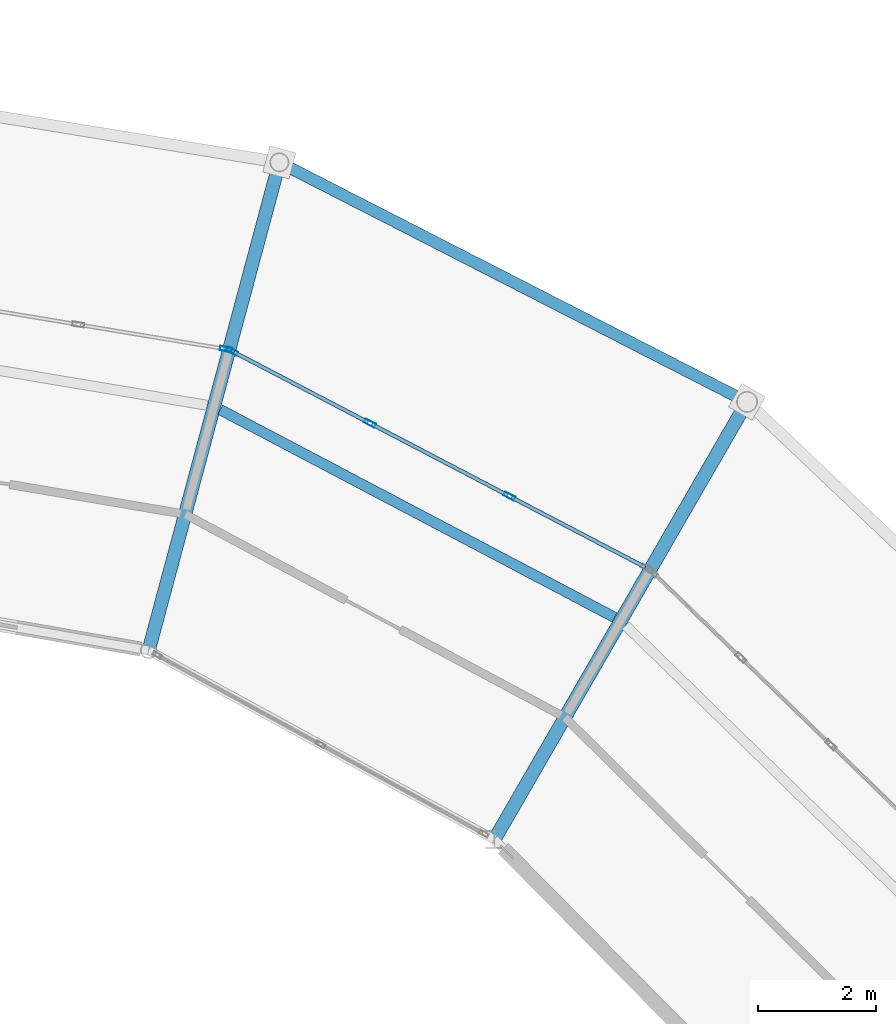
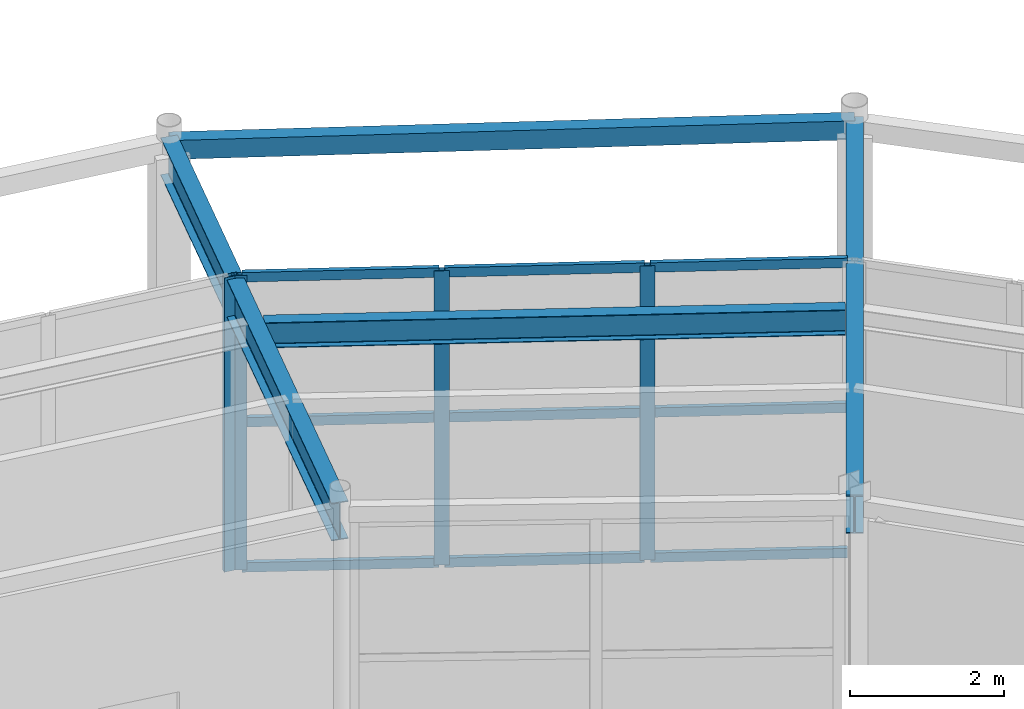
# One storey, part 89 of 144: 13 members, 4 beams, 2 elements without a shape of their own.
"""IFC4 building model written with IfcOpenShell, lengths in metres."""

from ifc_helpers import new_model, si_unit, direction, frame, origin, origin_2d, place, context, subcontext, project, spatial, hollow_rectangle, i_section, extrude, material, material_profile, profile_set, type_object, element, aggregate, save


model = new_model("IFC4")

# Units and contexts
model_context = context("Model", 3, precision=1e-05, world=origin(), true_north=direction((0.0, 1.0)))
body_context = subcontext(model_context, "Body", "Model", "MODEL_VIEW")
ifc_project = project(units=[si_unit("LENGTHUNIT", "METRE"), si_unit("AREAUNIT", "SQUARE_METRE"), si_unit("VOLUMEUNIT", "CUBIC_METRE"), si_unit("PLANEANGLEUNIT", "RADIAN"), si_unit("MASSUNIT", "GRAM", prefix="KILO")], contexts=[model_context])

# Site, building, storey
site_placement = place(None, origin())
site = spatial("IfcSite", under=ifc_project, at=site_placement, CompositionType="ELEMENT")
building_placement = place(site_placement, origin())
building = spatial("IfcBuilding", under=site, at=building_placement, Name="Karori Crest Natural Sciences Institute", CompositionType="ELEMENT")
storey_placement = place(building_placement, origin())
storey = spatial("IfcBuildingStorey", under=building, at=storey_placement, Name="L00", CompositionType="ELEMENT", Elevation=0.0)

# Beams
ifc_material_1 = material(Name="Structural steel AS/NZS 3679.1 Grade 350", Category="steel")
ifc_material_profile_1 = material_profile(ifc_material_1, i_section(OverallWidth=0.22900390625, OverallDepth=0.612060546875, WebThickness=0.011962890625, FlangeThickness=0.01953125, FilletRadius=0.013916015625, at=origin_2d()), Name="610UB125")
ifc_profile_set_1 = profile_set([ifc_material_profile_1], Name="Structural steel AS/NZS 3679.1 Grade 350")
beam_type_1 = type_object("IfcBeamType", Name="BT-04", PredefinedType="BEAM", material=ifc_profile_set_1)
beam_1_placement = place(storey_placement, frame((78.60009765625, 77.785888671875, 4.333984375), z_axis=(0.499973925258, 0.86604045752, 0.0), x_axis=(-0.86604045752, 0.499973925258, 0.0)))
element("IfcBeam", 1, at=beam_1_placement, inside=storey, type_object=beam_type_1, Name="Beam B-0107", PredefinedType="BEAM", context=body_context, shape_type="SweptSolid", body=[
    extrude(i_section(OverallWidth=0.22900390625, OverallDepth=0.612060546875, WebThickness=0.011962890625, FlangeThickness=0.01953125, FilletRadius=0.013916015625, at=origin_2d()), origin(), (0.0, 0.0, 1.0), 8.60009765625),
])
ifc_material_2 = material(Name="Hollow structural steel AS/NZS 1163 Grade C350", Category="steel")
ifc_material_profile_2 = material_profile(ifc_material_2, hollow_rectangle(XDim=0.199951171875, YDim=0.300048828125, WallThickness=0.010009765625, at=origin_2d()), Name="RHS300x200x10")
ifc_profile_set_2 = profile_set([ifc_material_profile_2], Name="Hollow structural steel AS/NZS 1163 Grade C350")
beam_type_2 = type_object("IfcBeamType", Name="BT-15", PredefinedType="SPANDREL", material=ifc_profile_set_2)
beam_2_placement = place(storey_placement, frame((82.89990234375, 85.23388671875, 4.489990234375), z_axis=(-0.890071733872, 0.455820478436, 0.0), x_axis=(-0.455820478436, -0.890071733872, 0.0)))
element("IfcBeam", 2, at=beam_2_placement, inside=storey, type_object=beam_type_2, Name="Beam B-0105", PredefinedType="SPANDREL", context=body_context, shape_type="SweptSolid", body=[
    extrude(hollow_rectangle(XDim=0.199951171875, YDim=0.300048828125, WallThickness=0.010009765625, at=origin_2d()), origin(), (0.0, 0.0, 1.0), 8.94189453125),
])
ifc_material_profile_3 = material_profile(ifc_material_1, i_section(OverallWidth=0.22802734375, OverallDepth=0.60205078125, WebThickness=0.010498046875, FlangeThickness=0.014892578125, FilletRadius=0.013916015625, at=origin_2d()), Name="610UB101")
ifc_profile_set_3 = profile_set([ifc_material_profile_3], Name="Structural steel AS/NZS 3679.1 Grade 350")
beam_type_3 = type_object("IfcBeamType", Name="BT-27", PredefinedType="BEAM", material=ifc_profile_set_3)
beam_3_placement = place(storey_placement, frame((72.715087890625, 81.002685546875, 4.339111328125), z_axis=(0.258812709002, 0.96592752402, 0.0), x_axis=(-0.96592752402, 0.258812709002, 0.0)))
element("IfcBeam", 3, at=beam_3_placement, inside=storey, type_object=beam_type_3, Name="Beam B-0111", PredefinedType="BEAM", context=body_context, shape_type="SweptSolid", body=[
    extrude(i_section(OverallWidth=0.22802734375, OverallDepth=0.60205078125, WebThickness=0.010498046875, FlangeThickness=0.014892578125, FilletRadius=0.013916015625, at=origin_2d()), origin(), (0.0, 0.0, 1.0), 8.60009765625),
])
ifc_material_profile_4 = material_profile(ifc_material_1, i_section(OverallWidth=0.177978515625, OverallDepth=0.403076171875, WebThickness=0.007568359375, FlangeThickness=0.010986328125, FilletRadius=0.010986328125, at=origin_2d()), Name="410UB53.7")
ifc_profile_set_4 = profile_set([ifc_material_profile_4], Name="Structural steel AS/NZS 3679.1 Grade 350")
beam_type_4 = type_object("IfcBeamType", Name="BT-29", PredefinedType="BEAM", material=ifc_profile_set_4)
beam_4_placement = place(storey_placement, frame((80.643798828125, 81.56591796875, 4.4384765625), z_axis=(-0.884748465601, 0.466068828197, 0.0), x_axis=(-0.466068828197, -0.884748465601, 0.0)))
element("IfcBeam", 4, at=beam_4_placement, inside=storey, type_object=beam_type_4, Name="Beam B-0108", PredefinedType="BEAM", context=body_context, shape_type="SweptSolid", body=[
    extrude(i_section(OverallWidth=0.177978515625, OverallDepth=0.403076171875, WebThickness=0.007568359375, FlangeThickness=0.010986328125, FilletRadius=0.010986328125, at=origin_2d()), origin(), (0.0, 0.0, 1.0), 7.58349609375),
])

# Curtain wall, members
ifc_material_3 = material(Name="Anodised architectural aluminium 6063-T6", Category="aluminium")
curtain_wall_type_1 = type_object("IfcCurtainWallType", Name="CWT-05", PredefinedType="NOTDEFINED", material=ifc_material_3)
curtain_wall_1_placement = place(storey_placement, origin())
curtain_wall_1 = element("IfcCurtainWall", 5, at=curtain_wall_1_placement, inside=storey, type_object=curtain_wall_type_1, Name="Curtain wall CW-0006", PredefinedType="NOTDEFINED")
ifc_material_profile_5 = material_profile(ifc_material_3, hollow_rectangle(XDim=0.074951171875, YDim=0.199951171875, WallThickness=0.0048828125, at=origin_2d()), Name="CWM200x75x5")
ifc_profile_set_5 = profile_set([ifc_material_profile_5], Name="Anodised architectural aluminium 6063-T6")
member_type_1 = type_object("IfcMemberType", Name="CWM-02", PredefinedType="MULLION", material=ifc_profile_set_5)
member_1_placement = place(storey_placement, frame((74.137939453125, 86.095458984375, 0.0), z_axis=(0.0, 0.0, 1.0), x_axis=(0.46342574094, 0.88613575858, 0.0)))
member_1 = element("IfcMember", 6, at=member_1_placement, type_object=member_type_1, Name="CW-0006 mullion 1", PredefinedType="MULLION", context=body_context, shape_type="SweptSolid", body=[
    extrude(hollow_rectangle(XDim=0.074951171875, YDim=0.199951171875, WallThickness=0.0048828125, at=origin_2d()), origin(), (0.0, 0.0, 1.0), 4.679931640625),
])
member_2_placement = place(storey_placement, frame((76.48046875, 84.870361328125, 0.0), z_axis=(0.0, 0.0, 1.0), x_axis=(0.46342574094, 0.88613575858, 0.0)))
member_2 = element("IfcMember", 7, at=member_2_placement, type_object=member_type_1, Name="CW-0006 mullion 2", PredefinedType="MULLION", context=body_context, shape_type="SweptSolid", body=[
    extrude(hollow_rectangle(XDim=0.074951171875, YDim=0.199951171875, WallThickness=0.0048828125, at=origin_2d()), origin(), (0.0, 0.0, 1.0), 4.679931640625),
])
member_3_placement = place(storey_placement, frame((78.8564453125, 83.6279296875, 0.0), z_axis=(0.0, 0.0, 1.0), x_axis=(0.46342574094, 0.88613575858, 0.0)))
member_3 = element("IfcMember", 8, at=member_3_placement, type_object=member_type_1, Name="CW-0006 mullion 3", PredefinedType="MULLION", context=body_context, shape_type="SweptSolid", body=[
    extrude(hollow_rectangle(XDim=0.074951171875, YDim=0.199951171875, WallThickness=0.0048828125, at=origin_2d()), origin(), (0.0, 0.0, 1.0), 4.679931640625),
])

# Curtain wall, member
curtain_wall_type_2 = type_object("IfcCurtainWallType", Name="CWT-06", PredefinedType="NOTDEFINED", material=ifc_material_3)
curtain_wall_2_placement = place(storey_placement, origin())
curtain_wall_2 = element("IfcCurtainWall", 9, at=curtain_wall_2_placement, inside=storey, type_object=curtain_wall_type_2, Name="Curtain wall CW-0008", PredefinedType="NOTDEFINED")
member_4_placement = place(storey_placement, frame((74.0302734375, 86.131591796875, 0.0), z_axis=(0.0, 0.0, 1.0), x_axis=(0.1639743451, 0.986464603597, 0.0)))
member_4 = element("IfcMember", 10, at=member_4_placement, type_object=member_type_1, Name="CW-0008 mullion 4", PredefinedType="MULLION", context=body_context, shape_type="SweptSolid", body=[
    extrude(hollow_rectangle(XDim=0.074951171875, YDim=0.199951171875, WallThickness=0.0048828125, at=origin_2d()), origin(), (0.0, 0.0, 1.0), 4.679931640625),
])
aggregate(curtain_wall_2, [member_4])

# Member
ifc_material_profile_6 = material_profile(ifc_material_3, hollow_rectangle(XDim=0.06494140625, YDim=0.14990234375, WallThickness=0.00390625, at=origin_2d()), Name="CWT150x65x4")
ifc_profile_set_6 = profile_set([ifc_material_profile_6], Name="Anodised architectural aluminium 6063-T6")
member_type_2 = type_object("IfcMemberType", Name="CWT-TR2", PredefinedType="USERDEFINED", material=ifc_profile_set_6)
member_5_placement = place(storey_placement, frame((74.171142578125, 86.078125, 0.032470703125), z_axis=(0.886123434904, -0.463449304794, 0.0), x_axis=(0.463449304794, 0.886123434904, 0.0)))
member_5 = element("IfcMember", 11, at=member_5_placement, type_object=member_type_2, Name="CW-0006 transom 1.1", ObjectType="TRANSOM", PredefinedType="USERDEFINED", context=body_context, shape_type="SweptSolid", body=[
    extrude(hollow_rectangle(XDim=0.06494140625, YDim=0.14990234375, WallThickness=0.00390625, at=origin_2d()), origin(), (0.0, 0.0, 1.0), 2.568603515625),
])

member_6_placement = place(storey_placement, frame((74.171142578125, 86.078125, 2.340087890625), z_axis=(0.886123434904, -0.463449304794, 0.0), x_axis=(0.463449304794, 0.886123434904, 0.0)))
member_6 = element("IfcMember", 12, at=member_6_placement, type_object=member_type_2, Name="CW-0006 transom 1.2", ObjectType="TRANSOM", PredefinedType="USERDEFINED", context=body_context, shape_type="SweptSolid", body=[
    extrude(hollow_rectangle(XDim=0.06494140625, YDim=0.14990234375, WallThickness=0.00390625, at=origin_2d()), origin(), (0.0, 0.0, 1.0), 2.568603515625),
])

member_7_placement = place(storey_placement, frame((74.171142578125, 86.078125, 4.6474609375), z_axis=(0.886123434904, -0.463449304794, 0.0), x_axis=(0.463449304794, 0.886123434904, 0.0)))
member_7 = element("IfcMember", 13, at=member_7_placement, type_object=member_type_2, Name="CW-0006 transom 1.3", ObjectType="TRANSOM", PredefinedType="USERDEFINED", context=body_context, shape_type="SweptSolid", body=[
    extrude(hollow_rectangle(XDim=0.06494140625, YDim=0.14990234375, WallThickness=0.00390625, at=origin_2d()), origin(), (0.0, 0.0, 1.0), 2.568603515625),
])

member_8_placement = place(storey_placement, frame((76.513671875, 84.85302734375, 0.032470703125), z_axis=(0.886148517115, -0.463401343993, 0.0), x_axis=(0.463401343993, 0.886148517115, 0.0)))
member_8 = element("IfcMember", 14, at=member_8_placement, type_object=member_type_2, Name="CW-0006 transom 2.1", ObjectType="TRANSOM", PredefinedType="USERDEFINED", context=body_context, shape_type="SweptSolid", body=[
    extrude(hollow_rectangle(XDim=0.06494140625, YDim=0.14990234375, WallThickness=0.00390625, at=origin_2d()), origin(), (0.0, 0.0, 1.0), 2.606201171875),
])

member_9_placement = place(storey_placement, frame((76.513671875, 84.85302734375, 2.340087890625), z_axis=(0.886148517115, -0.463401343993, 0.0), x_axis=(0.463401343993, 0.886148517115, 0.0)))
member_9 = element("IfcMember", 15, at=member_9_placement, type_object=member_type_2, Name="CW-0006 transom 2.2", ObjectType="TRANSOM", PredefinedType="USERDEFINED", context=body_context, shape_type="SweptSolid", body=[
    extrude(hollow_rectangle(XDim=0.06494140625, YDim=0.14990234375, WallThickness=0.00390625, at=origin_2d()), origin(), (0.0, 0.0, 1.0), 2.606201171875),
])

member_10_placement = place(storey_placement, frame((76.513671875, 84.85302734375, 4.6474609375), z_axis=(0.886148517115, -0.463401343993, 0.0), x_axis=(0.463401343993, 0.886148517115, 0.0)))
member_10 = element("IfcMember", 16, at=member_10_placement, type_object=member_type_2, Name="CW-0006 transom 2.3", ObjectType="TRANSOM", PredefinedType="USERDEFINED", context=body_context, shape_type="SweptSolid", body=[
    extrude(hollow_rectangle(XDim=0.06494140625, YDim=0.14990234375, WallThickness=0.00390625, at=origin_2d()), origin(), (0.0, 0.0, 1.0), 2.606201171875),
])

member_11_placement = place(storey_placement, frame((78.8896484375, 83.6103515625, 0.032470703125), z_axis=(0.886162466756, -0.463374667536, 0.0), x_axis=(0.463374667536, 0.886162466756, 0.0)))
member_11 = element("IfcMember", 17, at=member_11_placement, type_object=member_type_2, Name="CW-0006 transom 3.1", ObjectType="TRANSOM", PredefinedType="USERDEFINED", context=body_context, shape_type="SweptSolid", body=[
    extrude(hollow_rectangle(XDim=0.06494140625, YDim=0.14990234375, WallThickness=0.00390625, at=origin_2d()), origin(), (0.0, 0.0, 1.0), 2.568603515625),
])

member_12_placement = place(storey_placement, frame((78.8896484375, 83.6103515625, 2.340087890625), z_axis=(0.886162466756, -0.463374667536, 0.0), x_axis=(0.463374667536, 0.886162466756, 0.0)))
member_12 = element("IfcMember", 18, at=member_12_placement, type_object=member_type_2, Name="CW-0006 transom 3.2", ObjectType="TRANSOM", PredefinedType="USERDEFINED", context=body_context, shape_type="SweptSolid", body=[
    extrude(hollow_rectangle(XDim=0.06494140625, YDim=0.14990234375, WallThickness=0.00390625, at=origin_2d()), origin(), (0.0, 0.0, 1.0), 2.568603515625),
])

member_13_placement = place(storey_placement, frame((78.8896484375, 83.6103515625, 4.6474609375), z_axis=(0.886162466756, -0.463374667536, 0.0), x_axis=(0.463374667536, 0.886162466756, 0.0)))
member_13 = element("IfcMember", 19, at=member_13_placement, type_object=member_type_2, Name="CW-0006 transom 3.3", ObjectType="TRANSOM", PredefinedType="USERDEFINED", context=body_context, shape_type="SweptSolid", body=[
    extrude(hollow_rectangle(XDim=0.06494140625, YDim=0.14990234375, WallThickness=0.00390625, at=origin_2d()), origin(), (0.0, 0.0, 1.0), 2.568603515625),
])

aggregate(curtain_wall_1, [member_1, member_2, member_3, member_5, member_6, member_7, member_8, member_9, member_10, member_11, member_12, member_13])

save(model, "model.ifc")
